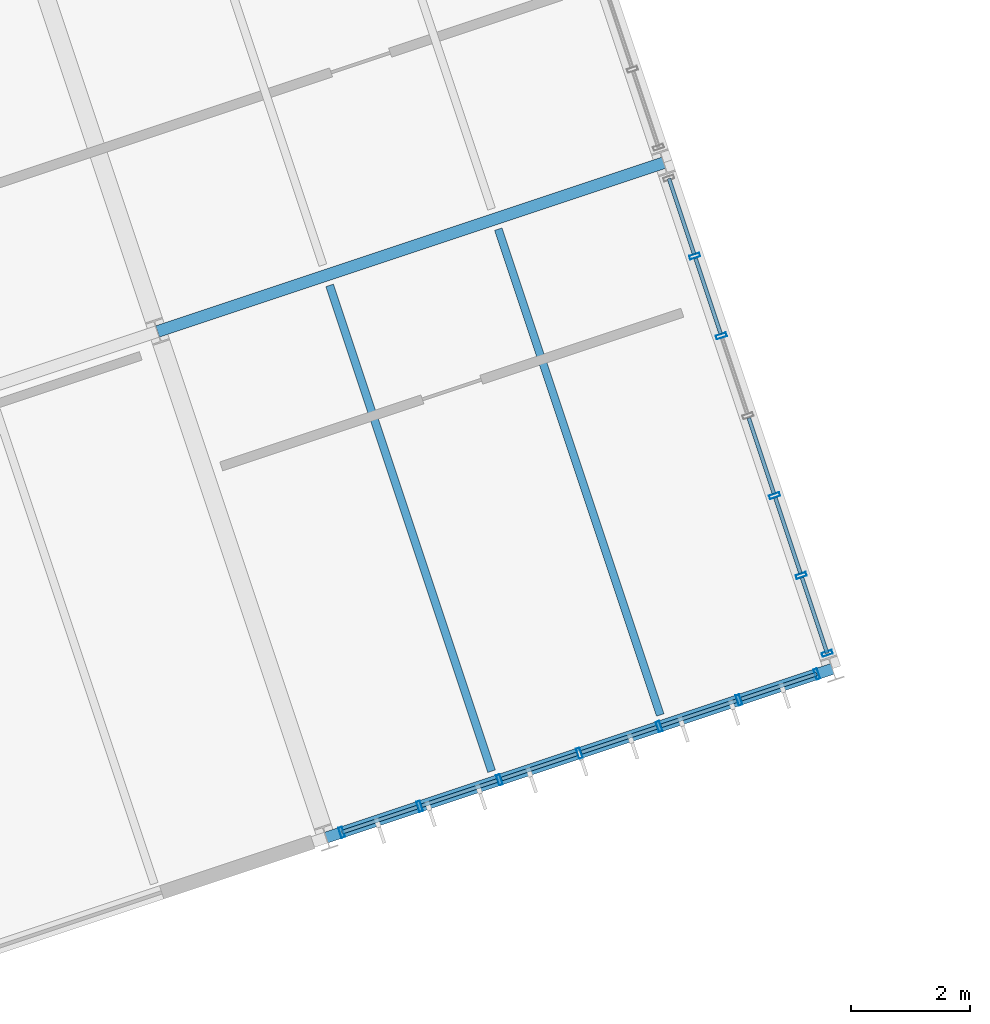
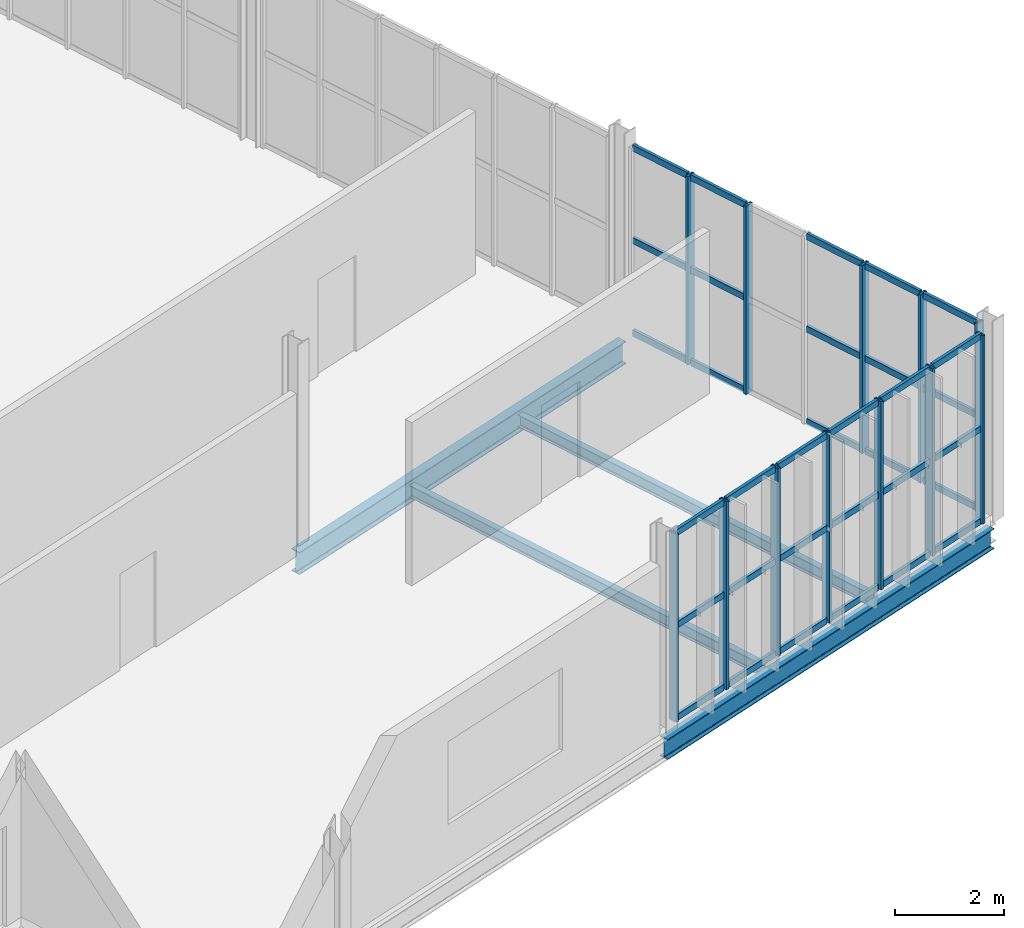
# One storey, part 86 of 152: 45 members, 4 beams, 2 elements without a shape of their own.
"""IFC4 building model written with IfcOpenShell, lengths in metres."""

from ifc_helpers import new_model, si_unit, derived_unit, direction, frame, origin, origin_2d, place, context, subcontext, project, spatial, hollow_rectangle, i_section, extrude, material, material_profile, profile_set, type_object, element, aggregate, save


model = new_model("IFC4")

# Units and contexts
model_context = context("Model", 3, precision=1e-05, world=origin(), true_north=direction((0.0, 1.0)))
body_context = subcontext(model_context, "Body", "Model", "MODEL_VIEW")
ifc_project = project(units=[si_unit("LENGTHUNIT", "METRE"), si_unit("AREAUNIT", "SQUARE_METRE"), si_unit("VOLUMEUNIT", "CUBIC_METRE"), si_unit("PLANEANGLEUNIT", "RADIAN"), si_unit("MASSUNIT", "GRAM", prefix="KILO"), si_unit("THERMODYNAMICTEMPERATUREUNIT", "KELVIN"), si_unit("TIMEUNIT", "SECOND"), derived_unit("THERMALTRANSMITTANCEUNIT", [(si_unit("MASSUNIT", "GRAM", prefix="KILO"), 1), (si_unit("THERMODYNAMICTEMPERATUREUNIT", "KELVIN"), -1), (si_unit("TIMEUNIT", "SECOND"), -3)])], contexts=[model_context])

# Site, building, storey
site_placement = place(None, origin())
site = spatial("IfcSite", under=ifc_project, at=site_placement, CompositionType="ELEMENT")
building_placement = place(site_placement, origin())
building = spatial("IfcBuilding", under=site, at=building_placement, Name="Cambertide Market Hall", CompositionType="ELEMENT")
storey_placement = place(building_placement, frame((0.0, 0.0, 5.39990234375)))
storey = spatial("IfcBuildingStorey", under=building, at=storey_placement, Name="L02", CompositionType="ELEMENT", Elevation=5.39990234375)

# Curtain wall, members
ifc_material_1 = material(Name="Marine Anodized Aluminium 6063-T6 AA25", Category="aluminium")
curtain_wall_type = type_object("IfcCurtainWallType", Name="Food Court Upper Glazed Facade", PredefinedType="USERDEFINED", material=ifc_material_1)
curtain_wall_1_placement = place(storey_placement, origin())
curtain_wall_1 = element("IfcCurtainWall", 1, at=curtain_wall_1_placement, inside=storey, type_object=curtain_wall_type, Name="Level 2 Curtain Wall CW-V3S-L02-7", ObjectType="UNITIZED CURTAIN WALL", PredefinedType="USERDEFINED")
ifc_material_2 = material(Name="Champagne Marine Anodized Aluminium 6063-T6 AA25", Category="aluminium")
ifc_material_profile_1 = material_profile(ifc_material_2, hollow_rectangle(XDim=0.06494140625, YDim=0.179931640625, WallThickness=0.00390625, at=origin_2d()), Name="ALU MULLION 65x180")
ifc_profile_set_1 = profile_set([ifc_material_profile_1], Name="Champagne Marine Anodized Aluminium 6063-T6 AA25")
member_type_1 = type_object("IfcMemberType", Name="Curtain Wall Mullion ALU MULLION 65x180", PredefinedType="MULLION", material=ifc_profile_set_1)
member_1_placement = place(storey_placement, frame((165.506103515625, 31.83544921875, 0.0), z_axis=(0.0, 0.0, 1.0), x_axis=(-0.948683286311, -0.316227801236, 0.0)))
member_1 = element("IfcMember", 2, at=member_1_placement, type_object=member_type_1, Name="CW-V3S-L02-7 Mullion 1", PredefinedType="MULLION", context=body_context, shape_type="SweptSolid", body=[
    extrude(hollow_rectangle(XDim=0.06494140625, YDim=0.179931640625, WallThickness=0.00390625, at=origin_2d()), origin(), (0.0, 0.0, 1.0), 4.2001953125),
])
member_2_placement = place(storey_placement, frame((164.192138671875, 31.3974609375, 0.0), z_axis=(0.0, 0.0, 1.0), x_axis=(-0.948683286311, -0.316227801236, 0.0)))
member_2 = element("IfcMember", 3, at=member_2_placement, type_object=member_type_1, Name="CW-V3S-L02-7 Mullion 2", PredefinedType="MULLION", context=body_context, shape_type="SweptSolid", body=[
    extrude(hollow_rectangle(XDim=0.06494140625, YDim=0.179931640625, WallThickness=0.00390625, at=origin_2d()), origin(), (0.0, 0.0, 1.0), 4.2001953125),
])
member_3_placement = place(storey_placement, frame((162.84521484375, 30.948486328125, 0.0), z_axis=(0.0, 0.0, 1.0), x_axis=(-0.948683286311, -0.316227801236, 0.0)))
member_3 = element("IfcMember", 4, at=member_3_placement, type_object=member_type_1, Name="CW-V3S-L02-7 Mullion 3", PredefinedType="MULLION", context=body_context, shape_type="SweptSolid", body=[
    extrude(hollow_rectangle(XDim=0.06494140625, YDim=0.179931640625, WallThickness=0.00390625, at=origin_2d()), origin(), (0.0, 0.0, 1.0), 4.2001953125),
])
member_4_placement = place(storey_placement, frame((161.498046875, 30.499267578125, 0.0), z_axis=(0.0, 0.0, 1.0), x_axis=(-0.948683286311, -0.316227801236, 0.0)))
member_4 = element("IfcMember", 5, at=member_4_placement, type_object=member_type_1, Name="CW-V3S-L02-7 Mullion 4", PredefinedType="MULLION", context=body_context, shape_type="SweptSolid", body=[
    extrude(hollow_rectangle(XDim=0.06494140625, YDim=0.179931640625, WallThickness=0.00390625, at=origin_2d()), origin(), (0.0, 0.0, 1.0), 4.2001953125),
])
member_5_placement = place(storey_placement, frame((160.15087890625, 30.05029296875, 0.0), z_axis=(0.0, 0.0, 1.0), x_axis=(-0.948683286311, -0.316227801236, 0.0)))
member_5 = element("IfcMember", 6, at=member_5_placement, type_object=member_type_1, Name="CW-V3S-L02-7 Mullion 5", PredefinedType="MULLION", context=body_context, shape_type="SweptSolid", body=[
    extrude(hollow_rectangle(XDim=0.06494140625, YDim=0.179931640625, WallThickness=0.00390625, at=origin_2d()), origin(), (0.0, 0.0, 1.0), 4.2001953125),
])
member_6_placement = place(storey_placement, frame((158.8037109375, 29.601318359375, 0.0), z_axis=(0.0, 0.0, 1.0), x_axis=(-0.948683286311, -0.316227801236, 0.0)))
member_6 = element("IfcMember", 7, at=member_6_placement, type_object=member_type_1, Name="CW-V3S-L02-7 Mullion 6", PredefinedType="MULLION", context=body_context, shape_type="SweptSolid", body=[
    extrude(hollow_rectangle(XDim=0.06494140625, YDim=0.179931640625, WallThickness=0.00390625, at=origin_2d()), origin(), (0.0, 0.0, 1.0), 4.2001953125),
])
member_7_placement = place(storey_placement, frame((157.48974609375, 29.163330078125, 0.0), z_axis=(0.0, 0.0, 1.0), x_axis=(-0.948683286311, -0.316227801236, 0.0)))
member_7 = element("IfcMember", 8, at=member_7_placement, type_object=member_type_1, Name="CW-V3S-L02-7 Mullion 7", PredefinedType="MULLION", context=body_context, shape_type="SweptSolid", body=[
    extrude(hollow_rectangle(XDim=0.06494140625, YDim=0.179931640625, WallThickness=0.00390625, at=origin_2d()), origin(), (0.0, 0.0, 1.0), 4.2001953125),
])

curtain_wall_2_placement = place(storey_placement, origin())
curtain_wall_2 = element("IfcCurtainWall", 9, at=curtain_wall_2_placement, inside=storey, type_object=curtain_wall_type, Name="Level 2 Curtain Wall CW-V3E-L02-1", ObjectType="UNITIZED CURTAIN WALL", PredefinedType="USERDEFINED")
member_8_placement = place(storey_placement, frame((163.446044921875, 38.8857421875, 0.0), z_axis=(0.0, 0.0, 1.0), x_axis=(0.316227695598, -0.948683321523, 0.0)))
member_8 = element("IfcMember", 10, at=member_8_placement, type_object=member_type_1, Name="CW-V3E-L02-1 Mullion 2", PredefinedType="MULLION", context=body_context, shape_type="SweptSolid", body=[
    extrude(hollow_rectangle(XDim=0.06494140625, YDim=0.179931640625, WallThickness=0.00390625, at=origin_2d()), origin(), (0.0, 0.0, 1.0), 4.2001953125),
])
member_9_placement = place(storey_placement, frame((163.89501953125, 37.53857421875, 0.0), z_axis=(0.0, 0.0, 1.0), x_axis=(0.316227695598, -0.948683321523, 0.0)))
member_9 = element("IfcMember", 11, at=member_9_placement, type_object=member_type_1, Name="CW-V3E-L02-1 Mullion 3", PredefinedType="MULLION", context=body_context, shape_type="SweptSolid", body=[
    extrude(hollow_rectangle(XDim=0.06494140625, YDim=0.179931640625, WallThickness=0.00390625, at=origin_2d()), origin(), (0.0, 0.0, 1.0), 4.2001953125),
])
member_10_placement = place(storey_placement, frame((164.79296875, 34.84423828125, 0.0), z_axis=(0.0, 0.0, 1.0), x_axis=(0.316227695598, -0.948683321523, 0.0)))
member_10 = element("IfcMember", 12, at=member_10_placement, type_object=member_type_1, Name="CW-V3E-L02-1 Mullion 5", PredefinedType="MULLION", context=body_context, shape_type="SweptSolid", body=[
    extrude(hollow_rectangle(XDim=0.06494140625, YDim=0.179931640625, WallThickness=0.00390625, at=origin_2d()), origin(), (0.0, 0.0, 1.0), 4.2001953125),
])
member_11_placement = place(storey_placement, frame((165.2421875, 33.4970703125, 0.0), z_axis=(0.0, 0.0, 1.0), x_axis=(0.316227695598, -0.948683321523, 0.0)))
member_11 = element("IfcMember", 13, at=member_11_placement, type_object=member_type_1, Name="CW-V3E-L02-1 Mullion 6", PredefinedType="MULLION", context=body_context, shape_type="SweptSolid", body=[
    extrude(hollow_rectangle(XDim=0.06494140625, YDim=0.179931640625, WallThickness=0.00390625, at=origin_2d()), origin(), (0.0, 0.0, 1.0), 4.2001953125),
])
member_12_placement = place(storey_placement, frame((165.68017578125, 32.183349609375, 0.0), z_axis=(0.0, 0.0, 1.0), x_axis=(0.316227695598, -0.948683321523, 0.0)))
member_12 = element("IfcMember", 14, at=member_12_placement, type_object=member_type_1, Name="CW-V3E-L02-1 Mullion 7", PredefinedType="MULLION", context=body_context, shape_type="SweptSolid", body=[
    extrude(hollow_rectangle(XDim=0.06494140625, YDim=0.179931640625, WallThickness=0.00390625, at=origin_2d()), origin(), (0.0, 0.0, 1.0), 4.2001953125),
])

# Member
ifc_material_3 = material(Name="Champagne Marine Anodized Aluminium 6063-T6 AA25", Category="aluminium")
ifc_material_profile_2 = material_profile(ifc_material_3, hollow_rectangle(XDim=0.06494140625, YDim=0.139892578125, WallThickness=0.00341796875, at=origin_2d()), Name="ALU TRANSOM 65x140")
ifc_profile_set_2 = profile_set([ifc_material_profile_2], Name="Champagne Marine Anodized Aluminium 6063-T6 AA25")
member_type_2 = type_object("IfcMemberType", Name="Curtain Wall Transom ALU TRANSOM 65x140", PredefinedType="USERDEFINED", material=ifc_profile_set_2)
member_13_placement = place(storey_placement, frame((165.50146484375, 31.833740234375, 0.03515625), z_axis=(-0.948719731918, -0.316118443418, 0.0), x_axis=(0.316118443418, -0.948719731918, 0.0)))
member_13 = element("IfcMember", 15, at=member_13_placement, type_object=member_type_2, Name="CW-V3S-L02-7 Transom 1-1", ObjectType="TRANSOM", PredefinedType="USERDEFINED", context=body_context, shape_type="SweptSolid", body=[
    extrude(hollow_rectangle(XDim=0.06494140625, YDim=0.139892578125, WallThickness=0.00341796875, at=origin_2d()), origin(), (0.0, 0.0, 1.0), 1.33984375),
])

member_14_placement = place(storey_placement, frame((164.154296875, 31.384765625, 0.03515625), z_axis=(-0.948665077442, -0.316282422593, 0.0), x_axis=(0.316282422593, -0.948665077442, 0.0)))
member_14 = element("IfcMember", 16, at=member_14_placement, type_object=member_type_2, Name="CW-V3S-L02-7 Transom 1-2", ObjectType="TRANSOM", PredefinedType="USERDEFINED", context=body_context, shape_type="SweptSolid", body=[
    extrude(hollow_rectangle(XDim=0.06494140625, YDim=0.139892578125, WallThickness=0.00341796875, at=origin_2d()), origin(), (0.0, 0.0, 1.0), 1.340087890625),
])

member_15_placement = place(storey_placement, frame((162.80712890625, 30.935791015625, 0.03515625), z_axis=(-0.948665077442, -0.316282422593, 0.0), x_axis=(0.316282422593, -0.948665077442, 0.0)))
member_15 = element("IfcMember", 17, at=member_15_placement, type_object=member_type_2, Name="CW-V3S-L02-7 Transom 1-3", ObjectType="TRANSOM", PredefinedType="USERDEFINED", context=body_context, shape_type="SweptSolid", body=[
    extrude(hollow_rectangle(XDim=0.06494140625, YDim=0.139892578125, WallThickness=0.00341796875, at=origin_2d()), origin(), (0.0, 0.0, 1.0), 1.340087890625),
])

member_16_placement = place(storey_placement, frame((161.4599609375, 30.486572265625, 0.03515625), z_axis=(-0.948719731918, -0.316118443418, 0.0), x_axis=(0.316118443418, -0.948719731918, 0.0)))
member_16 = element("IfcMember", 18, at=member_16_placement, type_object=member_type_2, Name="CW-V3S-L02-7 Transom 1-4", ObjectType="TRANSOM", PredefinedType="USERDEFINED", context=body_context, shape_type="SweptSolid", body=[
    extrude(hollow_rectangle(XDim=0.06494140625, YDim=0.139892578125, WallThickness=0.00341796875, at=origin_2d()), origin(), (0.0, 0.0, 1.0), 1.33984375),
])

member_17_placement = place(storey_placement, frame((160.11279296875, 30.03759765625, 0.03515625), z_axis=(-0.948665077442, -0.316282422593, 0.0), x_axis=(0.316282422593, -0.948665077442, 0.0)))
member_17 = element("IfcMember", 19, at=member_17_placement, type_object=member_type_2, Name="CW-V3S-L02-7 Transom 1-5", ObjectType="TRANSOM", PredefinedType="USERDEFINED", context=body_context, shape_type="SweptSolid", body=[
    extrude(hollow_rectangle(XDim=0.06494140625, YDim=0.139892578125, WallThickness=0.00341796875, at=origin_2d()), origin(), (0.0, 0.0, 1.0), 1.340087890625),
])

member_18_placement = place(storey_placement, frame((158.765869140625, 29.588623046875, 0.03515625), z_axis=(-0.948665077442, -0.316282422593, 0.0), x_axis=(0.316282422593, -0.948665077442, 0.0)))
member_18 = element("IfcMember", 20, at=member_18_placement, type_object=member_type_2, Name="CW-V3S-L02-7 Transom 1-6", ObjectType="TRANSOM", PredefinedType="USERDEFINED", context=body_context, shape_type="SweptSolid", body=[
    extrude(hollow_rectangle(XDim=0.06494140625, YDim=0.139892578125, WallThickness=0.00341796875, at=origin_2d()), origin(), (0.0, 0.0, 1.0), 1.340087890625),
])

member_19_placement = place(storey_placement, frame((165.50146484375, 31.833740234375, 2.10009765625), z_axis=(-0.948719731918, -0.316118443418, 0.0), x_axis=(0.316118443418, -0.948719731918, 0.0)))
member_19 = element("IfcMember", 21, at=member_19_placement, type_object=member_type_2, Name="CW-V3S-L02-7 Transom 2-1", ObjectType="TRANSOM", PredefinedType="USERDEFINED", context=body_context, shape_type="SweptSolid", body=[
    extrude(hollow_rectangle(XDim=0.06494140625, YDim=0.139892578125, WallThickness=0.00341796875, at=origin_2d()), origin(), (0.0, 0.0, 1.0), 1.33984375),
])

member_20_placement = place(storey_placement, frame((164.154296875, 31.384765625, 2.10009765625), z_axis=(-0.948665077442, -0.316282422593, 0.0), x_axis=(0.316282422593, -0.948665077442, 0.0)))
member_20 = element("IfcMember", 22, at=member_20_placement, type_object=member_type_2, Name="CW-V3S-L02-7 Transom 2-2", ObjectType="TRANSOM", PredefinedType="USERDEFINED", context=body_context, shape_type="SweptSolid", body=[
    extrude(hollow_rectangle(XDim=0.06494140625, YDim=0.139892578125, WallThickness=0.00341796875, at=origin_2d()), origin(), (0.0, 0.0, 1.0), 1.340087890625),
])

member_21_placement = place(storey_placement, frame((162.80712890625, 30.935791015625, 2.10009765625), z_axis=(-0.948665077442, -0.316282422593, 0.0), x_axis=(0.316282422593, -0.948665077442, 0.0)))
member_21 = element("IfcMember", 23, at=member_21_placement, type_object=member_type_2, Name="CW-V3S-L02-7 Transom 2-3", ObjectType="TRANSOM", PredefinedType="USERDEFINED", context=body_context, shape_type="SweptSolid", body=[
    extrude(hollow_rectangle(XDim=0.06494140625, YDim=0.139892578125, WallThickness=0.00341796875, at=origin_2d()), origin(), (0.0, 0.0, 1.0), 1.340087890625),
])

member_22_placement = place(storey_placement, frame((161.4599609375, 30.486572265625, 2.10009765625), z_axis=(-0.948719731918, -0.316118443418, 0.0), x_axis=(0.316118443418, -0.948719731918, 0.0)))
member_22 = element("IfcMember", 24, at=member_22_placement, type_object=member_type_2, Name="CW-V3S-L02-7 Transom 2-4", ObjectType="TRANSOM", PredefinedType="USERDEFINED", context=body_context, shape_type="SweptSolid", body=[
    extrude(hollow_rectangle(XDim=0.06494140625, YDim=0.139892578125, WallThickness=0.00341796875, at=origin_2d()), origin(), (0.0, 0.0, 1.0), 1.33984375),
])

member_23_placement = place(storey_placement, frame((160.11279296875, 30.03759765625, 2.10009765625), z_axis=(-0.948665077442, -0.316282422593, 0.0), x_axis=(0.316282422593, -0.948665077442, 0.0)))
member_23 = element("IfcMember", 25, at=member_23_placement, type_object=member_type_2, Name="CW-V3S-L02-7 Transom 2-5", ObjectType="TRANSOM", PredefinedType="USERDEFINED", context=body_context, shape_type="SweptSolid", body=[
    extrude(hollow_rectangle(XDim=0.06494140625, YDim=0.139892578125, WallThickness=0.00341796875, at=origin_2d()), origin(), (0.0, 0.0, 1.0), 1.340087890625),
])

member_24_placement = place(storey_placement, frame((158.765869140625, 29.588623046875, 2.10009765625), z_axis=(-0.948665077442, -0.316282422593, 0.0), x_axis=(0.316282422593, -0.948665077442, 0.0)))
member_24 = element("IfcMember", 26, at=member_24_placement, type_object=member_type_2, Name="CW-V3S-L02-7 Transom 2-6", ObjectType="TRANSOM", PredefinedType="USERDEFINED", context=body_context, shape_type="SweptSolid", body=[
    extrude(hollow_rectangle(XDim=0.06494140625, YDim=0.139892578125, WallThickness=0.00341796875, at=origin_2d()), origin(), (0.0, 0.0, 1.0), 1.340087890625),
])

member_25_placement = place(storey_placement, frame((165.50146484375, 31.833740234375, 4.1650390625), z_axis=(-0.948719731918, -0.316118443418, 0.0), x_axis=(0.316118443418, -0.948719731918, 0.0)))
member_25 = element("IfcMember", 27, at=member_25_placement, type_object=member_type_2, Name="CW-V3S-L02-7 Transom 3-1", ObjectType="TRANSOM", PredefinedType="USERDEFINED", context=body_context, shape_type="SweptSolid", body=[
    extrude(hollow_rectangle(XDim=0.06494140625, YDim=0.139892578125, WallThickness=0.00341796875, at=origin_2d()), origin(), (0.0, 0.0, 1.0), 1.33984375),
])

member_26_placement = place(storey_placement, frame((164.154296875, 31.384765625, 4.1650390625), z_axis=(-0.948665077442, -0.316282422593, 0.0), x_axis=(0.316282422593, -0.948665077442, 0.0)))
member_26 = element("IfcMember", 28, at=member_26_placement, type_object=member_type_2, Name="CW-V3S-L02-7 Transom 3-2", ObjectType="TRANSOM", PredefinedType="USERDEFINED", context=body_context, shape_type="SweptSolid", body=[
    extrude(hollow_rectangle(XDim=0.06494140625, YDim=0.139892578125, WallThickness=0.00341796875, at=origin_2d()), origin(), (0.0, 0.0, 1.0), 1.340087890625),
])

member_27_placement = place(storey_placement, frame((162.80712890625, 30.935791015625, 4.1650390625), z_axis=(-0.948665077442, -0.316282422593, 0.0), x_axis=(0.316282422593, -0.948665077442, 0.0)))
member_27 = element("IfcMember", 29, at=member_27_placement, type_object=member_type_2, Name="CW-V3S-L02-7 Transom 3-3", ObjectType="TRANSOM", PredefinedType="USERDEFINED", context=body_context, shape_type="SweptSolid", body=[
    extrude(hollow_rectangle(XDim=0.06494140625, YDim=0.139892578125, WallThickness=0.00341796875, at=origin_2d()), origin(), (0.0, 0.0, 1.0), 1.340087890625),
])

member_28_placement = place(storey_placement, frame((161.4599609375, 30.486572265625, 4.1650390625), z_axis=(-0.948719731918, -0.316118443418, 0.0), x_axis=(0.316118443418, -0.948719731918, 0.0)))
member_28 = element("IfcMember", 30, at=member_28_placement, type_object=member_type_2, Name="CW-V3S-L02-7 Transom 3-4", ObjectType="TRANSOM", PredefinedType="USERDEFINED", context=body_context, shape_type="SweptSolid", body=[
    extrude(hollow_rectangle(XDim=0.06494140625, YDim=0.139892578125, WallThickness=0.00341796875, at=origin_2d()), origin(), (0.0, 0.0, 1.0), 1.33984375),
])

member_29_placement = place(storey_placement, frame((160.11279296875, 30.03759765625, 4.1650390625), z_axis=(-0.948665077442, -0.316282422593, 0.0), x_axis=(0.316282422593, -0.948665077442, 0.0)))
member_29 = element("IfcMember", 31, at=member_29_placement, type_object=member_type_2, Name="CW-V3S-L02-7 Transom 3-5", ObjectType="TRANSOM", PredefinedType="USERDEFINED", context=body_context, shape_type="SweptSolid", body=[
    extrude(hollow_rectangle(XDim=0.06494140625, YDim=0.139892578125, WallThickness=0.00341796875, at=origin_2d()), origin(), (0.0, 0.0, 1.0), 1.340087890625),
])

member_30_placement = place(storey_placement, frame((158.765869140625, 29.588623046875, 4.1650390625), z_axis=(-0.948665077442, -0.316282422593, 0.0), x_axis=(0.316282422593, -0.948665077442, 0.0)))
member_30 = element("IfcMember", 32, at=member_30_placement, type_object=member_type_2, Name="CW-V3S-L02-7 Transom 3-6", ObjectType="TRANSOM", PredefinedType="USERDEFINED", context=body_context, shape_type="SweptSolid", body=[
    extrude(hollow_rectangle(XDim=0.06494140625, YDim=0.139892578125, WallThickness=0.00341796875, at=origin_2d()), origin(), (0.0, 0.0, 1.0), 1.340087890625),
])

aggregate(curtain_wall_1, [member_1, member_2, member_3, member_4, member_5, member_6, member_7, member_13, member_14, member_15, member_16, member_17, member_18, member_19, member_20, member_21, member_22, member_23, member_24, member_25, member_26, member_27, member_28, member_29, member_30])

member_31_placement = place(storey_placement, frame((163.009521484375, 40.19482421875, 0.03515625), z_axis=(0.316282422593, -0.948665077442, 0.0), x_axis=(0.948665077442, 0.316282422593, 0.0)))
member_31 = element("IfcMember", 33, at=member_31_placement, type_object=member_type_2, Name="CW-V3E-L02-1 Transom 1-1", ObjectType="TRANSOM", PredefinedType="USERDEFINED", context=body_context, shape_type="SweptSolid", body=[
    extrude(hollow_rectangle(XDim=0.06494140625, YDim=0.139892578125, WallThickness=0.00341796875, at=origin_2d()), origin(), (0.0, 0.0, 1.0), 1.340087890625),
])

member_32_placement = place(storey_placement, frame((163.45849609375, 38.84765625, 0.03515625), z_axis=(0.316282422593, -0.948665077442, 0.0), x_axis=(0.948665077442, 0.316282422593, 0.0)))
member_32 = element("IfcMember", 34, at=member_32_placement, type_object=member_type_2, Name="CW-V3E-L02-1 Transom 1-2", ObjectType="TRANSOM", PredefinedType="USERDEFINED", context=body_context, shape_type="SweptSolid", body=[
    extrude(hollow_rectangle(XDim=0.06494140625, YDim=0.139892578125, WallThickness=0.00341796875, at=origin_2d()), origin(), (0.0, 0.0, 1.0), 1.340087890625),
])

member_33_placement = place(storey_placement, frame((164.356689453125, 36.153564453125, 0.03515625), z_axis=(0.316282422593, -0.948665077442, 0.0), x_axis=(0.948665077442, 0.316282422593, 0.0)))
member_33 = element("IfcMember", 35, at=member_33_placement, type_object=member_type_2, Name="CW-V3E-L02-1 Transom 1-4", ObjectType="TRANSOM", PredefinedType="USERDEFINED", context=body_context, shape_type="SweptSolid", body=[
    extrude(hollow_rectangle(XDim=0.06494140625, YDim=0.139892578125, WallThickness=0.00341796875, at=origin_2d()), origin(), (0.0, 0.0, 1.0), 1.340087890625),
])

member_34_placement = place(storey_placement, frame((164.8056640625, 34.806396484375, 0.03515625), z_axis=(0.316282422593, -0.948665077442, 0.0), x_axis=(0.948665077442, 0.316282422593, 0.0)))
member_34 = element("IfcMember", 36, at=member_34_placement, type_object=member_type_2, Name="CW-V3E-L02-1 Transom 1-5", ObjectType="TRANSOM", PredefinedType="USERDEFINED", context=body_context, shape_type="SweptSolid", body=[
    extrude(hollow_rectangle(XDim=0.06494140625, YDim=0.139892578125, WallThickness=0.00341796875, at=origin_2d()), origin(), (0.0, 0.0, 1.0), 1.340087890625),
])

member_35_placement = place(storey_placement, frame((165.254638671875, 33.459228515625, 0.03515625), z_axis=(0.316282422593, -0.948665077442, 0.0), x_axis=(0.948665077442, 0.316282422593, 0.0)))
member_35 = element("IfcMember", 37, at=member_35_placement, type_object=member_type_2, Name="CW-V3E-L02-1 Transom 1-6", ObjectType="TRANSOM", PredefinedType="USERDEFINED", context=body_context, shape_type="SweptSolid", body=[
    extrude(hollow_rectangle(XDim=0.06494140625, YDim=0.139892578125, WallThickness=0.00341796875, at=origin_2d()), origin(), (0.0, 0.0, 1.0), 1.340087890625),
])

member_36_placement = place(storey_placement, frame((163.009521484375, 40.19482421875, 2.10009765625), z_axis=(0.316282422593, -0.948665077442, 0.0), x_axis=(0.948665077442, 0.316282422593, 0.0)))
member_36 = element("IfcMember", 38, at=member_36_placement, type_object=member_type_2, Name="CW-V3E-L02-1 Transom 2-1", ObjectType="TRANSOM", PredefinedType="USERDEFINED", context=body_context, shape_type="SweptSolid", body=[
    extrude(hollow_rectangle(XDim=0.06494140625, YDim=0.139892578125, WallThickness=0.00341796875, at=origin_2d()), origin(), (0.0, 0.0, 1.0), 1.340087890625),
])

member_37_placement = place(storey_placement, frame((163.45849609375, 38.84765625, 2.10009765625), z_axis=(0.316282422593, -0.948665077442, 0.0), x_axis=(0.948665077442, 0.316282422593, 0.0)))
member_37 = element("IfcMember", 39, at=member_37_placement, type_object=member_type_2, Name="CW-V3E-L02-1 Transom 2-2", ObjectType="TRANSOM", PredefinedType="USERDEFINED", context=body_context, shape_type="SweptSolid", body=[
    extrude(hollow_rectangle(XDim=0.06494140625, YDim=0.139892578125, WallThickness=0.00341796875, at=origin_2d()), origin(), (0.0, 0.0, 1.0), 1.340087890625),
])

member_38_placement = place(storey_placement, frame((164.356689453125, 36.153564453125, 2.10009765625), z_axis=(0.316282422593, -0.948665077442, 0.0), x_axis=(0.948665077442, 0.316282422593, 0.0)))
member_38 = element("IfcMember", 40, at=member_38_placement, type_object=member_type_2, Name="CW-V3E-L02-1 Transom 2-4", ObjectType="TRANSOM", PredefinedType="USERDEFINED", context=body_context, shape_type="SweptSolid", body=[
    extrude(hollow_rectangle(XDim=0.06494140625, YDim=0.139892578125, WallThickness=0.00341796875, at=origin_2d()), origin(), (0.0, 0.0, 1.0), 1.340087890625),
])

member_39_placement = place(storey_placement, frame((164.8056640625, 34.806396484375, 2.10009765625), z_axis=(0.316282422593, -0.948665077442, 0.0), x_axis=(0.948665077442, 0.316282422593, 0.0)))
member_39 = element("IfcMember", 41, at=member_39_placement, type_object=member_type_2, Name="CW-V3E-L02-1 Transom 2-5", ObjectType="TRANSOM", PredefinedType="USERDEFINED", context=body_context, shape_type="SweptSolid", body=[
    extrude(hollow_rectangle(XDim=0.06494140625, YDim=0.139892578125, WallThickness=0.00341796875, at=origin_2d()), origin(), (0.0, 0.0, 1.0), 1.340087890625),
])

member_40_placement = place(storey_placement, frame((165.254638671875, 33.459228515625, 2.10009765625), z_axis=(0.316282422593, -0.948665077442, 0.0), x_axis=(0.948665077442, 0.316282422593, 0.0)))
member_40 = element("IfcMember", 42, at=member_40_placement, type_object=member_type_2, Name="CW-V3E-L02-1 Transom 2-6", ObjectType="TRANSOM", PredefinedType="USERDEFINED", context=body_context, shape_type="SweptSolid", body=[
    extrude(hollow_rectangle(XDim=0.06494140625, YDim=0.139892578125, WallThickness=0.00341796875, at=origin_2d()), origin(), (0.0, 0.0, 1.0), 1.340087890625),
])

member_41_placement = place(storey_placement, frame((163.009521484375, 40.19482421875, 4.1650390625), z_axis=(0.316282422593, -0.948665077442, 0.0), x_axis=(0.948665077442, 0.316282422593, 0.0)))
member_41 = element("IfcMember", 43, at=member_41_placement, type_object=member_type_2, Name="CW-V3E-L02-1 Transom 3-1", ObjectType="TRANSOM", PredefinedType="USERDEFINED", context=body_context, shape_type="SweptSolid", body=[
    extrude(hollow_rectangle(XDim=0.06494140625, YDim=0.139892578125, WallThickness=0.00341796875, at=origin_2d()), origin(), (0.0, 0.0, 1.0), 1.340087890625),
])

member_42_placement = place(storey_placement, frame((163.45849609375, 38.84765625, 4.1650390625), z_axis=(0.316282422593, -0.948665077442, 0.0), x_axis=(0.948665077442, 0.316282422593, 0.0)))
member_42 = element("IfcMember", 44, at=member_42_placement, type_object=member_type_2, Name="CW-V3E-L02-1 Transom 3-2", ObjectType="TRANSOM", PredefinedType="USERDEFINED", context=body_context, shape_type="SweptSolid", body=[
    extrude(hollow_rectangle(XDim=0.06494140625, YDim=0.139892578125, WallThickness=0.00341796875, at=origin_2d()), origin(), (0.0, 0.0, 1.0), 1.340087890625),
])

member_43_placement = place(storey_placement, frame((164.356689453125, 36.153564453125, 4.1650390625), z_axis=(0.316282422593, -0.948665077442, 0.0), x_axis=(0.948665077442, 0.316282422593, 0.0)))
member_43 = element("IfcMember", 45, at=member_43_placement, type_object=member_type_2, Name="CW-V3E-L02-1 Transom 3-4", ObjectType="TRANSOM", PredefinedType="USERDEFINED", context=body_context, shape_type="SweptSolid", body=[
    extrude(hollow_rectangle(XDim=0.06494140625, YDim=0.139892578125, WallThickness=0.00341796875, at=origin_2d()), origin(), (0.0, 0.0, 1.0), 1.340087890625),
])

member_44_placement = place(storey_placement, frame((164.8056640625, 34.806396484375, 4.1650390625), z_axis=(0.316282422593, -0.948665077442, 0.0), x_axis=(0.948665077442, 0.316282422593, 0.0)))
member_44 = element("IfcMember", 46, at=member_44_placement, type_object=member_type_2, Name="CW-V3E-L02-1 Transom 3-5", ObjectType="TRANSOM", PredefinedType="USERDEFINED", context=body_context, shape_type="SweptSolid", body=[
    extrude(hollow_rectangle(XDim=0.06494140625, YDim=0.139892578125, WallThickness=0.00341796875, at=origin_2d()), origin(), (0.0, 0.0, 1.0), 1.340087890625),
])

member_45_placement = place(storey_placement, frame((165.254638671875, 33.459228515625, 4.1650390625), z_axis=(0.316282422593, -0.948665077442, 0.0), x_axis=(0.948665077442, 0.316282422593, 0.0)))
member_45 = element("IfcMember", 47, at=member_45_placement, type_object=member_type_2, Name="CW-V3E-L02-1 Transom 3-6", ObjectType="TRANSOM", PredefinedType="USERDEFINED", context=body_context, shape_type="SweptSolid", body=[
    extrude(hollow_rectangle(XDim=0.06494140625, YDim=0.139892578125, WallThickness=0.00341796875, at=origin_2d()), origin(), (0.0, 0.0, 1.0), 1.340087890625),
])

aggregate(curtain_wall_2, [member_8, member_9, member_10, member_11, member_12, member_31, member_32, member_33, member_34, member_35, member_36, member_37, member_38, member_39, member_40, member_41, member_42, member_43, member_44, member_45])

# Beams
ifc_material_4 = material(Name="Steel S355", Category="steel")
ifc_material_profile_3 = material_profile(ifc_material_4, i_section(OverallWidth=0.18994140625, OverallDepth=0.449951171875, WebThickness=0.009521484375, FlangeThickness=0.0146484375, FilletRadius=0.02099609375, at=origin_2d()), Name="IPE 450")
ifc_profile_set_3 = profile_set([ifc_material_profile_3], Name="Steel S355")
beam_type_1 = type_object("IfcBeamType", Name="Perimeter Spandrel Beam IPE 450", PredefinedType="SPANDREL", material=ifc_profile_set_3)
beam_1_placement = place(storey_placement, frame((157.22900390625, 29.076416015625, -0.474853515625), z_axis=(0.948686010717, 0.3162196279, 0.0), x_axis=(-0.3162196279, 0.948686010717, 0.0)))
element("IfcBeam", 48, at=beam_1_placement, inside=storey, type_object=beam_type_1, Name="Level 2 Spandrel BM-V3U-L02-7-1", PredefinedType="SPANDREL", context=body_context, shape_type="SweptSolid", body=[
    extrude(i_section(OverallWidth=0.18994140625, OverallDepth=0.449951171875, WebThickness=0.009521484375, FlangeThickness=0.0146484375, FilletRadius=0.02099609375, at=origin_2d()), origin(), (0.0, 0.0, 1.0), 9.0),
])
ifc_material_5 = material(Name="Steel S355", Category="steel")
ifc_material_profile_4 = material_profile(ifc_material_5, i_section(OverallWidth=0.199951171875, OverallDepth=0.5, WebThickness=0.01025390625, FlangeThickness=0.01611328125, FilletRadius=0.02099609375, at=origin_2d()), Name="IPE 500")
ifc_profile_set_4 = profile_set([ifc_material_profile_4], Name="Steel S355")
beam_type_2 = type_object("IfcBeamType", Name="Steel Girder IPE 500", PredefinedType="BEAM", material=ifc_profile_set_4)
beam_2_placement = place(storey_placement, frame((154.3828125, 37.614501953125, -0.5), z_axis=(0.948686010717, 0.3162196279, 0.0), x_axis=(-0.3162196279, 0.948686010717, 0.0)))
element("IfcBeam", 49, at=beam_2_placement, inside=storey, type_object=beam_type_2, Name="Level 2 Beam BM-V3U-L02-7-2", PredefinedType="BEAM", context=body_context, shape_type="SweptSolid", body=[
    extrude(i_section(OverallWidth=0.199951171875, OverallDepth=0.5, WebThickness=0.01025390625, FlangeThickness=0.01611328125, FilletRadius=0.02099609375, at=origin_2d()), origin(), (0.0, 0.0, 1.0), 9.0),
])
ifc_material_6 = material(Name="Steel S275", Category="steel")
ifc_material_profile_5 = material_profile(ifc_material_6, i_section(OverallWidth=0.135009765625, OverallDepth=0.27001953125, WebThickness=0.006591796875, FlangeThickness=0.01025390625, FilletRadius=0.014892578125, at=origin_2d()), Name="IPE 270")
ifc_profile_set_5 = profile_set([ifc_material_profile_5], Name="Steel S275")
beam_type_3 = type_object("IfcBeamType", Name="Steel Secondary Joist IPE 270", PredefinedType="JOIST", material=ifc_profile_set_5)
for number, where, z_axis, x_axis, name in (
    (50, (160.01806640625, 30.19580078125, -0.385009765625), (-0.316227766017, 0.948683298051, 0.0), (-0.948683298051, -0.316227766017, 0.0), "Level 2 Joist JS-V3-L02-7-1-1"),
    (51, (162.864013671875, 31.14453125, -0.385009765625), (-0.316227766017, 0.948683298051, 0.0), (-0.948683298051, -0.316227766017, 0.0), "Level 2 Joist JS-V3-L02-7-1-2"),
):
    element("IfcBeam", number, at=place(storey_placement, frame(where, z_axis=z_axis, x_axis=x_axis)), inside=storey, type_object=beam_type_3, Name=name, PredefinedType="JOIST", context=body_context, shape_type="SweptSolid", body=[
        extrude(i_section(OverallWidth=0.135009765625, OverallDepth=0.27001953125, WebThickness=0.006591796875, FlangeThickness=0.01025390625, FilletRadius=0.014892578125, at=origin_2d()), origin(), (0.0, 0.0, 1.0), 8.639892578125),
    ])

save(model, "model.ifc")
